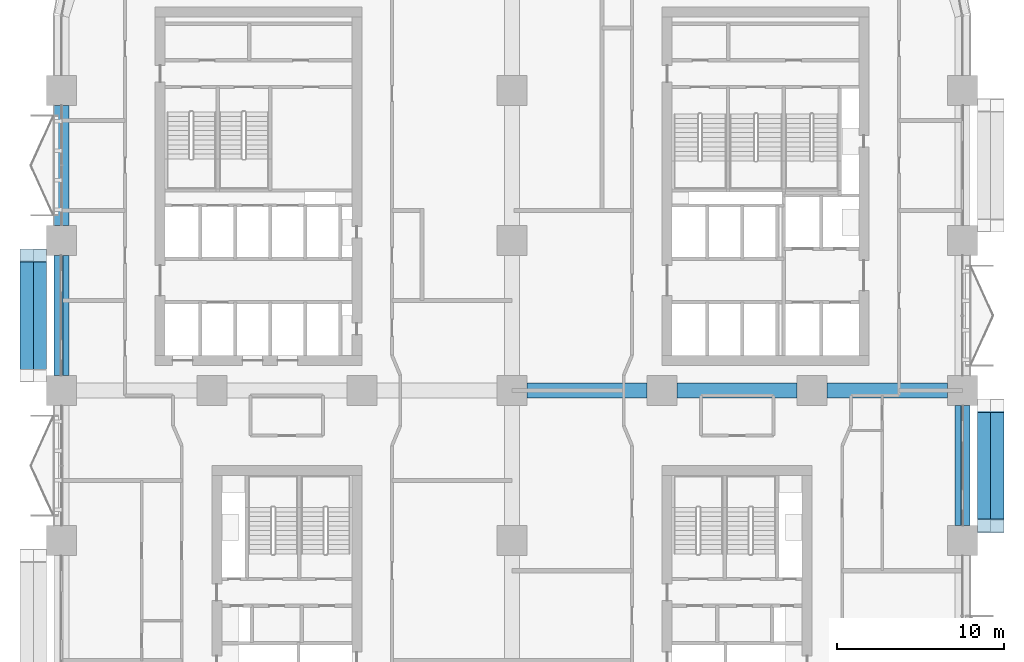
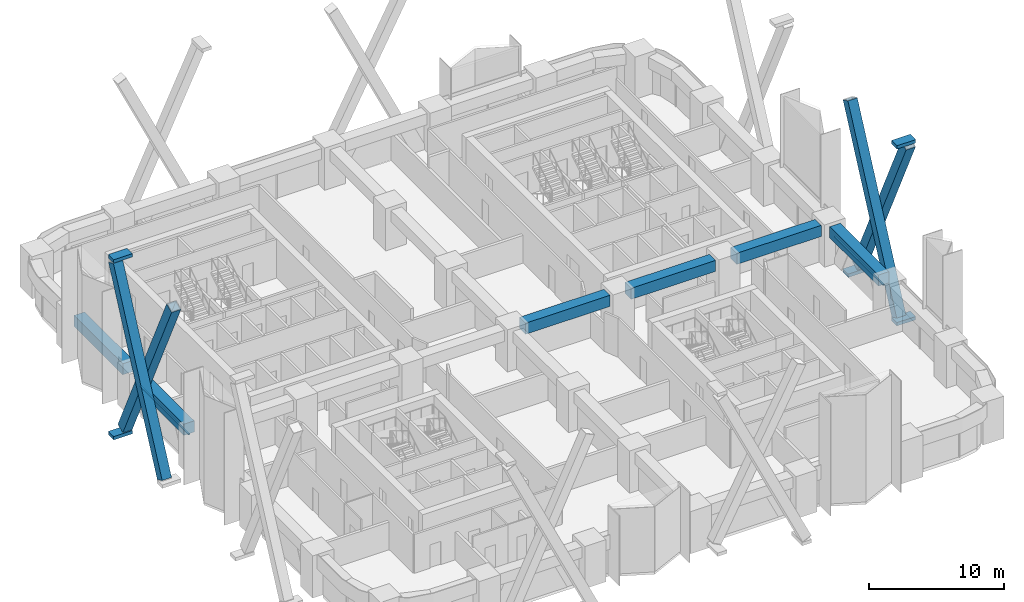
# One storey, part 6 of 26: 11 members, 6 beams, 2 elements without a shape of their own.
"""IFC4 building model written with IfcOpenShell, lengths in metres."""

from ifc_helpers import new_model, si_unit, direction, frame, origin, origin_2d, place, context, subcontext, project, spatial, rectangle, hollow_rectangle, extrude, material, layer, layer_set, material_profile, profile_set, type_object, element, aggregate, save


model = new_model("IFC4")

# Units and contexts
model_context = context("Model", 3, precision=1e-05, world=origin(), true_north=direction((0.0, 1.0)))
body_context = subcontext(model_context, "Body", "Model", "MODEL_VIEW")
ifc_project = project(units=[si_unit("LENGTHUNIT", "METRE"), si_unit("AREAUNIT", "SQUARE_METRE"), si_unit("VOLUMEUNIT", "CUBIC_METRE"), si_unit("PLANEANGLEUNIT", "RADIAN"), si_unit("MASSUNIT", "GRAM", prefix="KILO")], contexts=[model_context])

# Site, building, storey
site_placement = place(None, origin())
site = spatial("IfcSite", under=ifc_project, at=site_placement, CompositionType="ELEMENT")
building_placement = place(site_placement, origin())
building = spatial("IfcBuilding", under=site, at=building_placement, Name="Tessera Arch", CompositionType="ELEMENT")
storey_placement = place(building_placement, frame((0.0, 0.0, 31.0)))
storey = spatial("IfcBuildingStorey", under=building, at=storey_placement, Name="L05", CompositionType="ELEMENT", Elevation=31.0)

# Members
ifc_material_1 = material(Name="Steel A572 Gr50", Category="steel")
ifc_material_profile_1 = material_profile(ifc_material_1, hollow_rectangle(XDim=0.800048828125, YDim=0.800048828125, WallThickness=0.06005859375, at=origin_2d()), Name="BOX 800x800x60")
ifc_profile_set_1 = profile_set([ifc_material_profile_1], Name="Steel A572 Gr50")
member_type_1 = type_object("IfcMemberType", Name="Brace BOX 800x800x60 Steel A572 Gr50", PredefinedType="BRACE", material=ifc_profile_set_1)
for number, where, z_axis, x_axis, name in (
    (1, (55.300048828125, 18.89990234375, -0.800048828125), (0.0, 0.428096952335, 0.903732814167), (-1.0, 0.0, 0.0), "Brace E54.0-2 A L05-L08"),
    (2, (56.10009765625, 26.10009765625, -0.800048828125), (0.0, -0.428096952335, 0.903732814167), (1.0, 0.0, 0.0), "Brace E54.0-2 B L05-L08"),
    (3, (-1.300048828125, 35.10009765625, -0.800048828125), (0.0, -0.428096952335, 0.903732814167), (1.0, 0.0, 0.0), "Brace W0.0-2 A L05-L08"),
    (4, (-2.10009765625, 27.89990234375, -0.800048828125), (0.0, 0.428096952335, 0.903732814167), (-1.0, 0.0, 0.0), "Brace W0.0-2 B L05-L08"),
):
    element("IfcMember", number, at=place(storey_placement, frame(where, z_axis=z_axis, x_axis=x_axis)), inside=storey, type_object=member_type_1, Name=name, PredefinedType="BRACE", context=body_context, shape_type="SweptSolid", body=[
        extrude(hollow_rectangle(XDim=0.800048828125, YDim=0.800048828125, WallThickness=0.06005859375, at=origin_2d()), origin(), (0.0, 0.0, 1.0), 16.819091796875),
    ])

# Curtain wall, member
ifc_material_2 = material(Name="CW3 curtain wall")
curtain_wall_type = type_object("IfcCurtainWallType", Name="CW3 curtain wall", PredefinedType="NOTDEFINED", material=ifc_material_2)
curtain_wall_1_placement = place(storey_placement, origin())
curtain_wall_1 = element("IfcCurtainWall", 5, at=curtain_wall_1_placement, inside=storey, type_object=curtain_wall_type, Name="CW3 curtain wall E54.0/2 L05", PredefinedType="NOTDEFINED")
ifc_material_3 = material(Name="Anodised aluminium pale metal", Category="aluminium")
ifc_material_profile_2 = material_profile(ifc_material_3, rectangle(XDim=0.139892578125, YDim=0.10009765625, at=origin_2d()), Name="AL 140x100")
ifc_profile_set_2 = profile_set([ifc_material_profile_2], Name="Anodised aluminium pale metal")
member_type_2 = type_object("IfcMemberType", Name="CW3 transom", PredefinedType="USERDEFINED", material=ifc_profile_set_2)
member_1_placement = place(storey_placement, frame((54.0, 18.89990234375, 2.449951171875), z_axis=(0.0, 1.0, 0.0), x_axis=(-1.0, 0.0, 0.0)))
member_1 = element("IfcMember", 6, at=member_1_placement, type_object=member_type_2, Name="CW3 transom E54.0/2 1.1", ObjectType="TRANSOM", PredefinedType="USERDEFINED", context=body_context, shape_type="SweptSolid", body=[
    extrude(rectangle(XDim=0.139892578125, YDim=0.10009765625, at=origin_2d()), origin(), (0.0, 0.0, 1.0), 7.2001953125),
])
aggregate(curtain_wall_1, [member_1])

curtain_wall_2_placement = place(storey_placement, origin())
curtain_wall_2 = element("IfcCurtainWall", 7, at=curtain_wall_2_placement, inside=storey, type_object=curtain_wall_type, Name="CW3 curtain wall W0.0/2 L05", PredefinedType="NOTDEFINED")
member_2_placement = place(storey_placement, frame((0.0, 35.10009765625, 2.449951171875), z_axis=(0.0, -1.0, 0.0), x_axis=(1.0, 0.0, 0.0)))
member_2 = element("IfcMember", 8, at=member_2_placement, type_object=member_type_2, Name="CW3 transom W0.0/2 1.1", ObjectType="TRANSOM", PredefinedType="USERDEFINED", context=body_context, shape_type="SweptSolid", body=[
    extrude(rectangle(XDim=0.139892578125, YDim=0.10009765625, at=origin_2d()), origin(), (0.0, 0.0, 1.0), 7.2001953125),
])
aggregate(curtain_wall_2, [member_2])

# Members
ifc_material_4 = material(Name="Steel A572 Gr50", Category="steel")
ifc_layer = layer(ifc_material_4, 0.050048828125)
ifc_layer_set = layer_set([ifc_layer], Name="Node block Steel A572 Gr50")
member_type_3 = type_object("IfcMemberType", Name="Node block Steel A572 Gr50", PredefinedType="PLATE", material=ifc_layer_set)
for number, where, z_axis, x_axis, name in (
    (9, (55.699951171875, 26.10009765625, -1.31640625), (0.0, 0.0, 1.0), (0.0, 1.0, 0.0), "Node block seat E54.0-2 1 L05"),
    (10, (55.699951171875, 18.89990234375, -1.31640625), (0.0, 0.0, 1.0), (0.0, 1.0, 0.0), "Node block seat E54.0-2 2 L05"),
    (11, (55.699951171875, 18.89990234375, 14.6162109375), (0.0, 0.0, 1.0), (0.0, 1.0, 0.0), "Node block head E54.0-2 B L05"),
    (12, (-1.699951171875, 35.10009765625, -1.31640625), (0.0, 0.0, 1.0), (0.0, -1.0, 0.0), "Node block seat W0.0-2 2 L05"),
    (13, (-1.699951171875, 35.10009765625, 14.6162109375), (0.0, 0.0, 1.0), (0.0, -1.0, 0.0), "Node block head W0.0-2 B L05"),
):
    element("IfcMember", number, at=place(storey_placement, frame(where, z_axis=z_axis, x_axis=x_axis)), inside=storey, type_object=member_type_3, Name=name, PredefinedType="PLATE", context=body_context, shape_type="SweptSolid", body=[
        extrude(rectangle(XDim=0.800048828125, YDim=1.60009765625, at=origin_2d()), origin(), (0.0, 0.0, 1.0), 0.300048828125),
    ])

# Beams
ifc_material_5 = material(Name="Concrete C80/95", Category="concrete")
ifc_material_profile_3 = material_profile(ifc_material_5, rectangle(XDim=0.89990234375, YDim=1.0, at=origin_2d()), Name="RC spandrel beam 900 x 1000 Concrete C80/95")
ifc_profile_set_3 = profile_set([ifc_material_profile_3], Name="Concrete C80/95")
beam_type = type_object("IfcBeamType", Name="RC spandrel beam 900 x 1000 Concrete C80/95", PredefinedType="BEAM", material=ifc_profile_set_3)
for number, where, z_axis, x_axis, name in (
    (14, (54.0, 18.89990234375, 3.0), (0.0, 1.0, 0.0), (-1.0, 0.0, 0.0), "Spandrel beam L05 E54.0/2"),
    (15, (0.0, 44.10009765625, 3.0), (0.0, -1.0, 0.0), (1.0, 0.0, 0.0), "Spandrel beam L05 W0.0/1"),
    (16, (0.0, 35.10009765625, 3.0), (0.0, -1.0, 0.0), (1.0, 0.0, 0.0), "Spandrel beam L05 W0.0/2"),
    (17, (27.89990234375, 27.0, 3.0), (1.0, 0.0, 0.0), (0.0, 1.0, 0.0), "Interface beam L05 I1C4D-C5D"),
    (18, (36.89990234375, 27.0, 3.0), (1.0, 0.0, 0.0), (0.0, 1.0, 0.0), "Interface beam L05 I1C5D-C6D"),
    (19, (45.89990234375, 27.0, 3.0), (1.0, 0.0, 0.0), (0.0, 1.0, 0.0), "Interface beam L05 I1C6D-C7D"),
):
    element("IfcBeam", number, at=place(storey_placement, frame(where, z_axis=z_axis, x_axis=x_axis)), inside=storey, type_object=beam_type, Name=name, PredefinedType="BEAM", context=body_context, shape_type="SweptSolid", body=[
        extrude(rectangle(XDim=0.89990234375, YDim=1.0, at=origin_2d()), origin(), (0.0, 0.0, 1.0), 7.2001953125),
    ])

save(model, "model.ifc")
